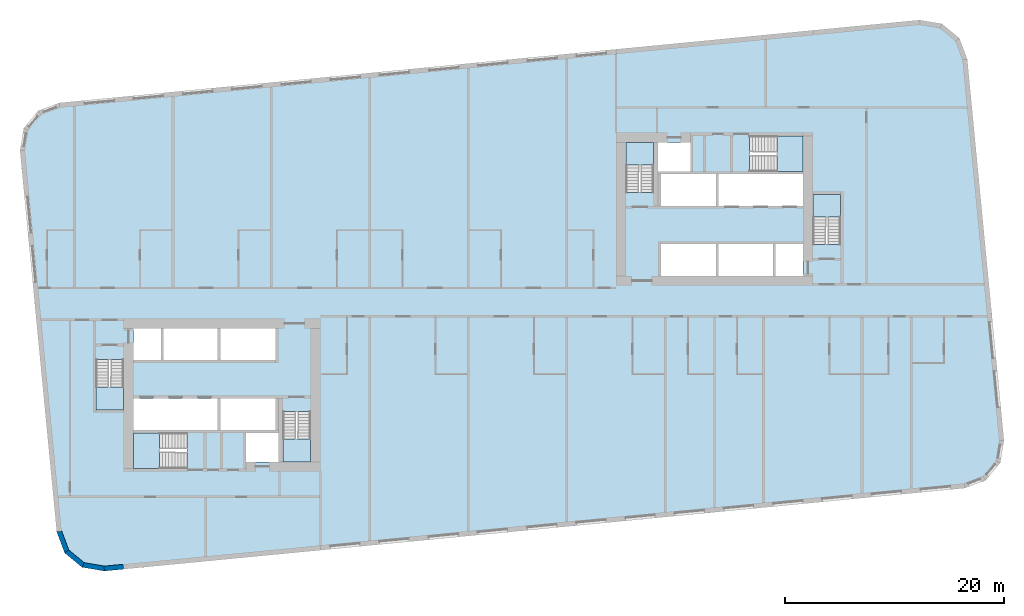
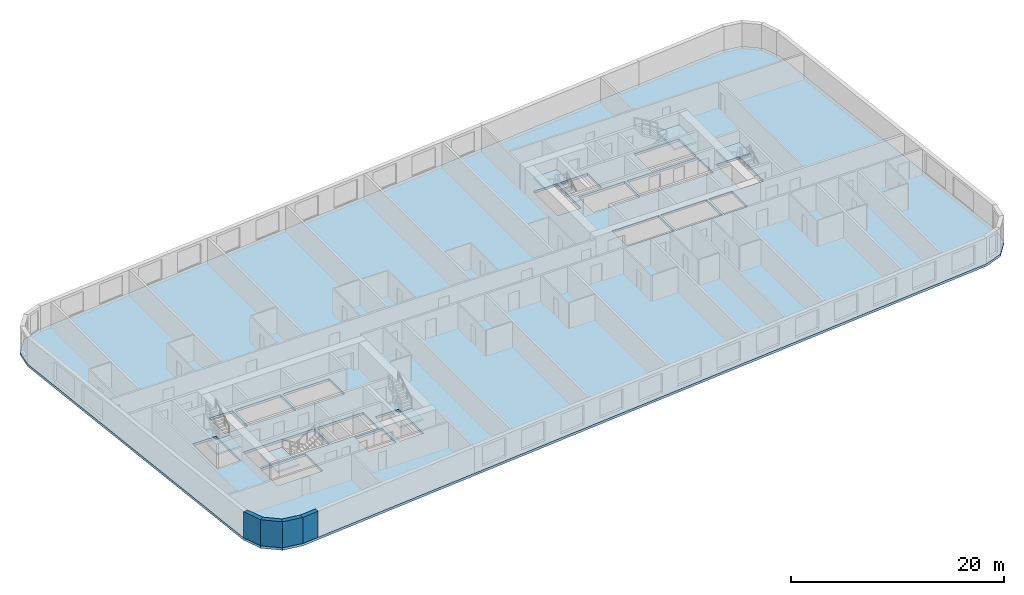
# One storey, part 1 of 12: 7 slabs, 4 walls, 6 elements without a shape of their own.
"""IFC4 building model written with IfcOpenShell, lengths in metres."""

from ifc_helpers import new_model, si_unit, direction, frame, frame_2d, origin, place, context, subcontext, project, spatial, polyline, rectangle, outline, extrude, material, layer, layer_set, type_object, element, aggregate, save


model = new_model("IFC4")

# Units and contexts
model_context = context("Model", 3, precision=1e-05, world=origin(), true_north=direction((0.0, 1.0)))
body_context = subcontext(model_context, "Body", "Model", "MODEL_VIEW")
ifc_project = project(units=[si_unit("LENGTHUNIT", "METRE"), si_unit("AREAUNIT", "SQUARE_METRE"), si_unit("VOLUMEUNIT", "CUBIC_METRE"), si_unit("PLANEANGLEUNIT", "RADIAN"), si_unit("MASSUNIT", "GRAM", prefix="KILO")], contexts=[model_context])

# Site, building, storey
site_placement = place(None, origin())
site = spatial("IfcSite", under=ifc_project, at=site_placement, CompositionType="ELEMENT")
building_placement = place(site_placement, origin())
building = spatial("IfcBuilding", under=site, at=building_placement, Name="Kajstack Hotel Tower", CompositionType="ELEMENT")
storey_placement = place(building_placement, frame((0.0, 0.0, 147.10009765625)))
storey = spatial("IfcBuildingStorey", under=building, at=storey_placement, Name="L34", CompositionType="ELEMENT", Elevation=147.10009765625)

# Slab
ifc_material_1 = material(Name="Concrete C40/50", Category="concrete")
ifc_layer_1 = layer(ifc_material_1, 0.280029296875)
ifc_layer_set_1 = layer_set([ifc_layer_1], Name="RC slab 280 C40/50 guest")
slab_type_1 = type_object("IfcSlabType", Name="RC slab 280 C40/50 guest", PredefinedType="FLOOR", material=ifc_layer_set_1)
slab_1_placement = place(storey_placement, frame((0.0, 0.0, -0.280029296875)))
element("IfcSlab", 1, at=slab_1_placement, inside=storey, type_object=slab_type_1, Name="S-slab-L34", PredefinedType="FLOOR", context=body_context, shape_type="SweptSolid", body=[
    extrude(outline(polyline([(-40.97705078125, 13.85009765625), (-37.622314453125, -20.98876953125), (-36.897216796875, -22.92822265625), (-35.299560546875, -24.2451171875), (-33.257568359375, -24.5869140625), (45.37890625, -17.01513671875), (47.318359375, -16.2900390625), (48.63525390625, -14.6923828125), (48.97705078125, -12.650146484375), (45.622314453125, 22.188720703125), (44.897216796875, 24.128173828125), (43.299560546875, 25.4453125), (41.257568359375, 25.786865234375), (-37.37890625, 18.215087890625), (-39.318359375, 17.489990234375), (-40.63525390625, 15.892333984375), (-40.97705078125, 13.85009765625)]), holes=[polyline([(-30.60009765625, -11.699951171875), (-30.60009765625, -8.800048828125), (-22.89990234375, -8.800048828125), (-22.89990234375, -11.699951171875), (-30.60009765625, -11.699951171875)]), polyline([(-22.64990234375, -11.699951171875), (-22.64990234375, -8.800048828125), (-17.60009765625, -8.800048828125), (-17.60009765625, -11.699951171875), (-22.64990234375, -11.699951171875)]), polyline([(-27.85009765625, -5.300048828125), (-27.85009765625, -2.39990234375), (-22.89990234375, -2.39990234375), (-22.89990234375, -5.300048828125), (-27.85009765625, -5.300048828125)]), polyline([(-22.64990234375, -5.300048828125), (-22.64990234375, -2.39990234375), (-17.60009765625, -2.39990234375), (-17.60009765625, -5.300048828125), (-22.64990234375, -5.300048828125)]), polyline([(-20.300048828125, -14.60009765625), (-17.35009765625, -14.60009765625), (-17.35009765625, -11.949951171875), (-20.300048828125, -11.949951171875), (-20.300048828125, -14.60009765625)]), polyline([(-30.60009765625, -5.300048828125), (-28.10009765625, -5.300048828125), (-28.10009765625, -2.39990234375), (-30.60009765625, -2.39990234375), (-30.60009765625, -5.300048828125)]), polyline([(22.89990234375, 8.800048828125), (22.89990234375, 11.699951171875), (30.60009765625, 11.699951171875), (30.60009765625, 8.800048828125), (22.89990234375, 8.800048828125)]), polyline([(17.60009765625, 8.800048828125), (17.60009765625, 11.699951171875), (22.64990234375, 11.699951171875), (22.64990234375, 8.800048828125), (17.60009765625, 8.800048828125)]), polyline([(22.89990234375, 2.39990234375), (22.89990234375, 5.300048828125), (27.85009765625, 5.300048828125), (27.85009765625, 2.39990234375), (22.89990234375, 2.39990234375)]), polyline([(17.60009765625, 2.39990234375), (17.60009765625, 5.300048828125), (22.64990234375, 5.300048828125), (22.64990234375, 2.39990234375), (17.60009765625, 2.39990234375)]), polyline([(20.300048828125, 14.60009765625), (17.35009765625, 14.60009765625), (17.35009765625, 11.949951171875), (20.300048828125, 11.949951171875), (20.300048828125, 14.60009765625)]), polyline([(30.60009765625, 5.300048828125), (28.10009765625, 5.300048828125), (28.10009765625, 2.39990234375), (30.60009765625, 2.39990234375), (30.60009765625, 5.300048828125)]), polyline([(-34.050048828125, -9.85009765625), (-31.5, -9.85009765625), (-31.5, -5.25), (-34.050048828125, -5.25), (-34.050048828125, -9.85009765625)]), polyline([(-16.949951171875, -14.60009765625), (-14.39990234375, -14.60009765625), (-14.39990234375, -10.0), (-16.949951171875, -10.0), (-16.949951171875, -14.60009765625)]), polyline([(-30.60009765625, -15.199951171875), (-25.699951171875, -15.199951171875), (-25.699951171875, -11.949951171875), (-30.60009765625, -11.949951171875), (-30.60009765625, -15.199951171875)]), polyline([(34.050048828125, 9.85009765625), (31.5, 9.85009765625), (31.5, 5.25), (34.050048828125, 5.25), (34.050048828125, 9.85009765625)]), polyline([(16.949951171875, 14.60009765625), (14.39990234375, 14.60009765625), (14.39990234375, 10.0), (16.949951171875, 10.0), (16.949951171875, 14.60009765625)]), polyline([(30.60009765625, 15.199951171875), (25.699951171875, 15.199951171875), (25.699951171875, 11.949951171875), (30.60009765625, 11.949951171875), (30.60009765625, 15.199951171875)])]), origin(), (0.0, 0.0, 1.0), 0.280029296875),
])

# Stair, slab
stair_type_1 = type_object("IfcStairType", Name="Exit stair 1200", PredefinedType="HALF_TURN_STAIR", material=ifc_material_1)
stair_1_placement = place(storey_placement, origin())
stair_1 = element("IfcStair", 2, at=stair_1_placement, inside=storey, type_object=stair_type_1, Name="L34 stair W1", PredefinedType="HALF_TURN_STAIR")
ifc_layer_2 = layer(ifc_material_1, 0.199951171875)
ifc_layer_set_2 = layer_set([ifc_layer_2], Name="Stair landing 200")
slab_type_2 = type_object("IfcSlabType", Name="Stair landing 200", PredefinedType="LANDING", material=ifc_layer_set_2)
slab_2_placement = place(storey_placement, frame((0.0, 0.0, 1.449951171875)))
slab_2 = element("IfcSlab", 3, at=slab_2_placement, type_object=slab_type_2, Name="W1 landing 1", PredefinedType="LANDING", context=body_context, shape_type="SweptSolid", body=[
    extrude(outline(polyline([(-34.050048828125, -7.77001953125), (-34.050048828125, -9.85009765625), (-31.5, -9.85009765625), (-31.5, -7.77001953125), (-34.050048828125, -7.77001953125)])), origin(), (0.0, 0.0, 1.0), 0.199951171875),
])
aggregate(stair_1, [slab_2])

stair_2_placement = place(storey_placement, origin())
stair_2 = element("IfcStair", 4, at=stair_2_placement, inside=storey, type_object=stair_type_1, Name="L34 stair W2", PredefinedType="HALF_TURN_STAIR")
slab_3_placement = place(storey_placement, frame((0.0, 0.0, 1.449951171875)))
slab_3 = element("IfcSlab", 5, at=slab_3_placement, type_object=slab_type_2, Name="W2 landing 1", PredefinedType="LANDING", context=body_context, shape_type="SweptSolid", body=[
    extrude(outline(polyline([(-16.949951171875, -12.52001953125), (-16.949951171875, -14.60009765625), (-14.39990234375, -14.60009765625), (-14.39990234375, -12.52001953125), (-16.949951171875, -12.52001953125)])), origin(), (0.0, 0.0, 1.0), 0.199951171875),
])
aggregate(stair_2, [slab_3])

stair_type_2 = type_object("IfcStairType", Name="Exit stair 1500", PredefinedType="HALF_TURN_STAIR", material=ifc_material_1)
stair_3_placement = place(storey_placement, origin())
stair_3 = element("IfcStair", 6, at=stair_3_placement, inside=storey, type_object=stair_type_2, Name="L34 stair W3", PredefinedType="HALF_TURN_STAIR")
slab_4_placement = place(storey_placement, frame((0.0, 0.0, 1.449951171875)))
slab_4 = element("IfcSlab", 7, at=slab_4_placement, type_object=slab_type_2, Name="W3 landing 1", PredefinedType="LANDING", context=body_context, shape_type="SweptSolid", body=[
    extrude(outline(polyline([(-28.219970703125, -11.949951171875), (-30.60009765625, -11.949951171875), (-30.60009765625, -15.199951171875), (-28.219970703125, -15.199951171875), (-28.219970703125, -11.949951171875)])), origin(), (0.0, 0.0, 1.0), 0.199951171875),
])
aggregate(stair_3, [slab_4])

stair_4_placement = place(storey_placement, origin())
stair_4 = element("IfcStair", 8, at=stair_4_placement, inside=storey, type_object=stair_type_1, Name="L34 stair E1", PredefinedType="HALF_TURN_STAIR")
slab_5_placement = place(storey_placement, frame((0.0, 0.0, 1.449951171875)))
slab_5 = element("IfcSlab", 9, at=slab_5_placement, type_object=slab_type_2, Name="E1 landing 1", PredefinedType="LANDING", context=body_context, shape_type="SweptSolid", body=[
    extrude(outline(polyline([(34.050048828125, 7.77001953125), (34.050048828125, 9.85009765625), (31.5, 9.85009765625), (31.5, 7.77001953125), (34.050048828125, 7.77001953125)])), origin(), (0.0, 0.0, 1.0), 0.199951171875),
])
aggregate(stair_4, [slab_5])

stair_5_placement = place(storey_placement, origin())
stair_5 = element("IfcStair", 10, at=stair_5_placement, inside=storey, type_object=stair_type_1, Name="L34 stair E2", PredefinedType="HALF_TURN_STAIR")
slab_6_placement = place(storey_placement, frame((0.0, 0.0, 1.449951171875)))
slab_6 = element("IfcSlab", 11, at=slab_6_placement, type_object=slab_type_2, Name="E2 landing 1", PredefinedType="LANDING", context=body_context, shape_type="SweptSolid", body=[
    extrude(outline(polyline([(16.949951171875, 12.52001953125), (16.949951171875, 14.60009765625), (14.39990234375, 14.60009765625), (14.39990234375, 12.52001953125), (16.949951171875, 12.52001953125)])), origin(), (0.0, 0.0, 1.0), 0.199951171875),
])
aggregate(stair_5, [slab_6])

stair_6_placement = place(storey_placement, origin())
stair_6 = element("IfcStair", 12, at=stair_6_placement, inside=storey, type_object=stair_type_2, Name="L34 stair E3", PredefinedType="HALF_TURN_STAIR")
slab_7_placement = place(storey_placement, frame((0.0, 0.0, 1.449951171875)))
slab_7 = element("IfcSlab", 13, at=slab_7_placement, type_object=slab_type_2, Name="E3 landing 1", PredefinedType="LANDING", context=body_context, shape_type="SweptSolid", body=[
    extrude(outline(polyline([(28.219970703125, 11.949951171875), (30.60009765625, 11.949951171875), (30.60009765625, 15.199951171875), (28.219970703125, 15.199951171875), (28.219970703125, 11.949951171875)])), origin(), (0.0, 0.0, 1.0), 0.199951171875),
])
aggregate(stair_6, [slab_7])

# Walls
ifc_material_2 = material(Name="Terracotta-faced brick masonry", Category="masonry")
ifc_layer_3 = layer(ifc_material_2, 0.449951171875)
ifc_layer_set_3 = layer_set([ifc_layer_3], Name="EW-TERRA")
wall_type = type_object("IfcWallType", Name="EW-TERRA", PredefinedType="SOLIDWALL", material=ifc_layer_set_3)
for number, where, z_axis, x_axis, name in (
    (14, (-37.41162109375, -20.909912109375, 0.0), (0.0, 0.0, 1.0), (0.350192909346, -0.936677599948, 0.0), "E-wall-L34-01-00"),
    (15, (-36.754150390625, -22.754638671875, 0.0), (0.0, 0.0, 1.0), (0.771651049663, -0.636046112757, 0.0), "E-wall-L34-02-00"),
):
    element("IfcWall", number, at=place(storey_placement, frame(where, z_axis=z_axis, x_axis=x_axis)), inside=storey, type_object=wall_type, Name=name, PredefinedType="SOLIDWALL", context=body_context, shape_type="SweptSolid", body=[
        extrude(outline(polyline([(0.0, -0.22509765625), (2.070556640625, -0.22509765625), (1.949951171875, 0.224853515625), (0.12060546875, 0.22509765625), (0.0, -0.22509765625)])), origin(), (0.0, 0.0, 1.0), 3.0),
    ])
wall_1_placement = place(storey_placement, frame((-35.262451171875, -24.023193359375, 0.0), z_axis=(0.0, 0.0, 1.0), x_axis=(0.986278951104, -0.165087342366, 0.0)))
element("IfcWall", 16, at=wall_1_placement, inside=storey, type_object=wall_type, Name="E-wall-L34-03-00", PredefinedType="SOLIDWALL", context=body_context, shape_type="SweptSolid", body=[
    extrude(outline(polyline([(0.0, -0.22509765625), (2.070556640625, -0.22509765625), (1.949951171875, 0.22509765625), (0.12060546875, 0.224853515625), (0.0, -0.22509765625)])), origin(), (0.0, 0.0, 1.0), 3.0),
])
wall_2_placement = place(storey_placement, frame((-33.279052734375, -24.363037109375, 0.0), z_axis=(0.0, 0.0, 1.0), x_axis=(0.995385439311, 0.095957423931, 0.0)))
element("IfcWall", 17, at=wall_2_placement, inside=storey, type_object=wall_type, Name="E-wall-L34-04-00", PredefinedType="SOLIDWALL", context=body_context, shape_type="SweptSolid", body=[
    extrude(rectangle(XDim=1.765625, YDim=0.449951171875, at=frame_2d((0.8828125, 0.0))), origin(), (0.0, 0.0, 1.0), 3.0),
])

save(model, "model.ifc")
